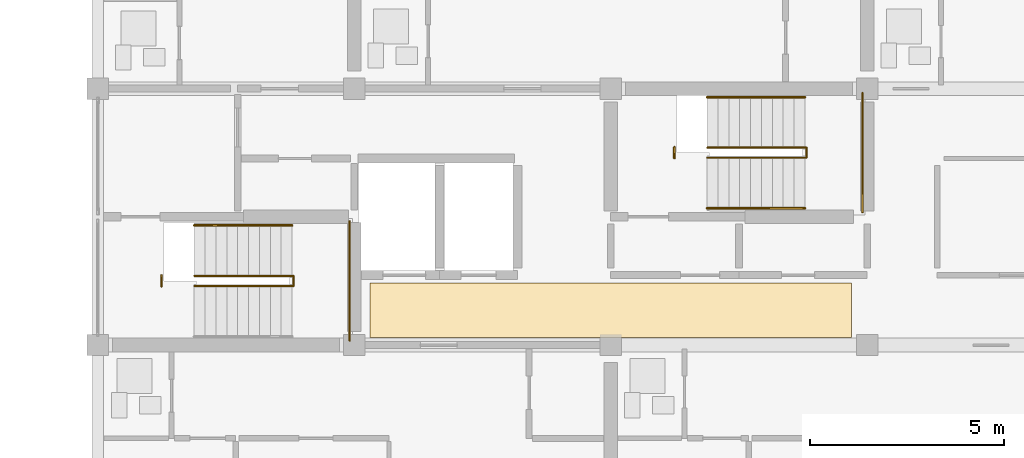
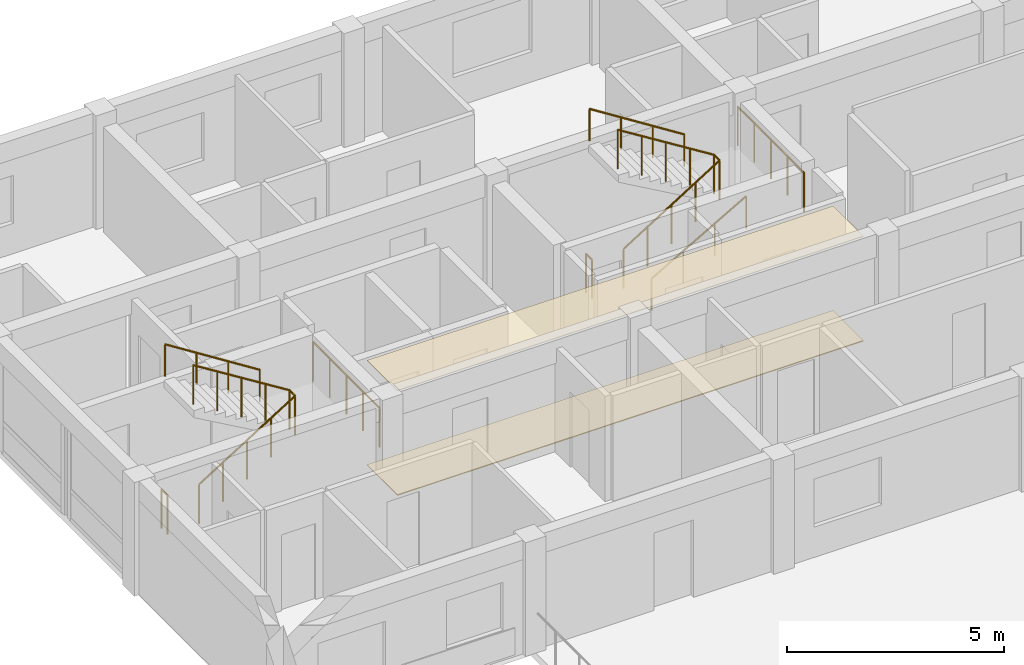
# One storey, part 49 of 51: 9 railings, 2 coverings.
"""IFC4 building model written with IfcOpenShell, lengths in metres."""

from ifc_helpers import new_model, si_unit, direction, frame, origin, origin_2d, place, context, subcontext, project, spatial, polyline, circle, outline, extrude, material, layer, layer_set, type_object, element, save


model = new_model("IFC4")

# Units and contexts
model_context = context("Model", 3, precision=1e-05, world=origin(), true_north=direction((0.0, 1.0)))
body_context = subcontext(model_context, "Body", "Model", "MODEL_VIEW")
ifc_project = project(units=[si_unit("LENGTHUNIT", "METRE"), si_unit("AREAUNIT", "SQUARE_METRE"), si_unit("VOLUMEUNIT", "CUBIC_METRE"), si_unit("PLANEANGLEUNIT", "RADIAN"), si_unit("MASSUNIT", "GRAM", prefix="KILO")], contexts=[model_context])

# Site, building, storey
site_placement = place(None, origin())
site = spatial("IfcSite", under=ifc_project, at=site_placement, CompositionType="ELEMENT")
building_placement = place(site_placement, origin())
building = spatial("IfcBuilding", under=site, at=building_placement, Name="Kernevlak Ridge Housing Community", CompositionType="ELEMENT")
storey_placement = place(building_placement, frame((0.0, 0.0, 8.39990234375)))
storey = spatial("IfcBuildingStorey", under=building, at=storey_placement, Name="L02", CompositionType="ELEMENT", Elevation=8.39990234375)

# Coverings
ifc_material_1 = material(Name="Acoustic perforated gypsum ceiling board")
ifc_layer_1 = layer(ifc_material_1, 0.02001953125, Name="Acoustic perforated gypsum ceiling board")
ifc_layer_set_1 = layer_set([ifc_layer_1], Name="Acoustic perforated gypsum ceiling board")
covering_type_1 = type_object("IfcCoveringType", Name="CV-01", PredefinedType="CEILING", material=ifc_layer_set_1)
covering_1_placement = place(storey_placement, frame((0.0, 0.0, 2.940185546875)))
element("IfcCovering", 1, at=covering_1_placement, inside=storey, type_object=covering_type_1, Name="Block B L02 lobby acoustic ceiling", PredefinedType="CEILING", context=body_context, shape_type="SweptSolid", body=[
    extrude(outline(polyline([(126.39990234375, 89.39990234375), (138.800048828125, 89.39990234375), (138.800048828125, 90.800048828125), (126.39990234375, 90.800048828125), (126.39990234375, 89.39990234375)])), origin(), (0.0, 0.0, 1.0), 0.02001953125),
])
ifc_material_2 = material(Name="Polished pale terrazzo tile flooring")
ifc_layer_2 = layer(ifc_material_2, 0.02490234375, Name="Polished pale terrazzo tile flooring")
ifc_layer_set_2 = layer_set([ifc_layer_2], Name="Polished pale terrazzo tile flooring")
covering_type_2 = type_object("IfcCoveringType", Name="CV-02", PredefinedType="FLOORING", material=ifc_layer_set_2)
covering_2_placement = place(storey_placement, origin())
element("IfcCovering", 2, at=covering_2_placement, inside=storey, type_object=covering_type_2, Name="Block B L02 lobby terrazzo flooring", PredefinedType="FLOORING", context=body_context, shape_type="SweptSolid", body=[
    extrude(outline(polyline([(126.39990234375, 89.39990234375), (138.800048828125, 89.39990234375), (138.800048828125, 90.800048828125), (126.39990234375, 90.800048828125), (126.39990234375, 89.39990234375)])), origin(), (0.0, 0.0, 1.0), 0.025146484375),
])

# Railings
ifc_material_3 = material(Name="Steel S355", Category="steel")
railing_type_1 = type_object("IfcRailingType", Name="GR-02", PredefinedType="GUARDRAIL", material=ifc_material_3)
railing_1_placement = place(storey_placement, frame((121.0400390625, 90.7099609375, 0.0)))
element("IfcRailing", 3, at=railing_1_placement, inside=storey, type_object=railing_type_1, Name="Stair ST-B1 L02 well slot guard", PredefinedType="GUARDRAIL", context=body_context, shape_type="SweptSolid", body=[
    extrude(circle(Radius=0.02392578125, at=origin_2d()), frame((0.0, 0.0, 1.09619140625), z_axis=(0.0, 1.0, 0.0), x_axis=(-1.0, 0.0, 0.0)), (0.0, 0.0, 1.0), 0.280029296875),
    extrude(circle(Radius=0.02099609375, at=origin_2d()), origin(), (0.0, 0.0, 1.0), 1.072021484375),
    extrude(circle(Radius=0.02099609375, at=origin_2d()), frame((0.0, 0.280029296875, 0.0)), (0.0, 0.0, 1.0), 1.072021484375),
])
railing_2_placement = place(storey_placement, frame((121.8798828125, 90.719970703125, 0.0)))
element("IfcRailing", 4, at=railing_2_placement, inside=storey, type_object=railing_type_1, Name="Stair ST-B1 L02 inner well guardrail", PredefinedType="GUARDRAIL", context=body_context, shape_type="SweptSolid", body=[
    extrude(circle(Radius=0.02392578125, at=origin_2d()), frame((0.0, 0.0, 1.09619140625), z_axis=(0.847989217509, 0.0, 0.530013478119), x_axis=(0.0, 1.0, 0.0)), (0.0, 0.0, 1.0), 3.01904296875),
    extrude(circle(Radius=0.02392578125, at=origin_2d()), frame((2.56005859375, 0.0, 2.6962890625), z_axis=(0.0, 1.0, 0.0), x_axis=(-1.0, 0.0, 0.0)), (0.0, 0.0, 1.0), 0.260009765625),
    extrude(circle(Radius=0.02392578125, at=origin_2d()), frame((2.56005859375, 0.260009765625, 2.6962890625), z_axis=(-0.847989217509, 0.0, 0.530013478119), x_axis=(0.0, -1.0, 0.0)), (0.0, 0.0, 1.0), 3.01904296875),
    extrude(circle(Radius=0.02099609375, at=origin_2d()), origin(), (0.0, 0.0, 1.0), 1.072021484375),
    extrude(circle(Radius=0.02099609375, at=origin_2d()), frame((0.64013671875, 0.0, 0.39990234375)), (0.0, 0.0, 1.0), 1.072021484375),
    extrude(circle(Radius=0.02099609375, at=origin_2d()), frame((1.280029296875, 0.0, 0.800048828125)), (0.0, 0.0, 1.0), 1.072021484375),
    extrude(circle(Radius=0.02099609375, at=origin_2d()), frame((1.919921875, 0.0, 1.2001953125)), (0.0, 0.0, 1.0), 1.072021484375),
    extrude(circle(Radius=0.02099609375, at=origin_2d()), frame((2.56005859375, 0.0, 1.60009765625)), (0.0, 0.0, 1.0), 1.072021484375),
    extrude(circle(Radius=0.02099609375, at=origin_2d()), frame((2.56005859375, 0.260009765625, 1.60009765625)), (0.0, 0.0, 1.0), 1.072021484375),
    extrude(circle(Radius=0.02099609375, at=origin_2d()), frame((1.919921875, 0.260009765625, 2.0)), (0.0, 0.0, 1.0), 1.072021484375),
    extrude(circle(Radius=0.02099609375, at=origin_2d()), frame((1.280029296875, 0.260009765625, 2.400146484375)), (0.0, 0.0, 1.0), 1.072021484375),
    extrude(circle(Radius=0.02099609375, at=origin_2d()), frame((0.64013671875, 0.260009765625, 2.80029296875)), (0.0, 0.0, 1.0), 1.072021484375),
    extrude(circle(Radius=0.02099609375, at=origin_2d()), frame((0.0, 0.260009765625, 3.2001953125)), (0.0, 0.0, 1.0), 1.072021484375),
])
railing_3_placement = place(storey_placement, frame((125.8798828125, 89.320068359375, 1.60009765625)))
element("IfcRailing", 5, at=railing_3_placement, inside=storey, type_object=railing_type_1, Name="Stair ST-B1 L02 half-landing guard", PredefinedType="GUARDRAIL", context=body_context, shape_type="SweptSolid", body=[
    extrude(circle(Radius=0.02392578125, at=origin_2d()), frame((0.0, 0.0, 1.09619140625), z_axis=(0.0, 1.0, 0.0), x_axis=(-1.0, 0.0, 0.0)), (0.0, 0.0, 1.0), 3.059814453125),
    extrude(circle(Radius=0.02099609375, at=origin_2d()), origin(), (0.0, 0.0, 1.0), 1.072021484375),
    extrude(circle(Radius=0.02099609375, at=origin_2d()), frame((0.0, 0.764892578125, 0.0)), (0.0, 0.0, 1.0), 1.072021484375),
    extrude(circle(Radius=0.02099609375, at=origin_2d()), frame((0.0, 1.52978515625, 0.0)), (0.0, 0.0, 1.0), 1.072021484375),
    extrude(circle(Radius=0.02099609375, at=origin_2d()), frame((0.0, 2.294921875, 0.0)), (0.0, 0.0, 1.0), 1.072021484375),
    extrude(circle(Radius=0.02099609375, at=origin_2d()), frame((0.0, 3.059814453125, 0.0)), (0.0, 0.0, 1.0), 1.072021484375),
])
railing_4_placement = place(storey_placement, frame((134.239990234375, 94.010009765625, 0.0)))
element("IfcRailing", 6, at=railing_4_placement, inside=storey, type_object=railing_type_1, Name="Stair ST-B2 L02 well slot guard", PredefinedType="GUARDRAIL", context=body_context, shape_type="SweptSolid", body=[
    extrude(circle(Radius=0.02392578125, at=origin_2d()), frame((0.0, 0.0, 1.09619140625), z_axis=(0.0, 1.0, 0.0), x_axis=(-1.0, 0.0, 0.0)), (0.0, 0.0, 1.0), 0.280029296875),
    extrude(circle(Radius=0.02099609375, at=origin_2d()), origin(), (0.0, 0.0, 1.0), 1.072021484375),
    extrude(circle(Radius=0.02099609375, at=origin_2d()), frame((0.0, 0.280029296875, 0.0)), (0.0, 0.0, 1.0), 1.072021484375),
])
railing_5_placement = place(storey_placement, frame((135.080078125, 94.02001953125, 0.0)))
element("IfcRailing", 7, at=railing_5_placement, inside=storey, type_object=railing_type_1, Name="Stair ST-B2 L02 inner well guardrail", PredefinedType="GUARDRAIL", context=body_context, shape_type="SweptSolid", body=[
    extrude(circle(Radius=0.02392578125, at=origin_2d()), frame((0.0, 0.0, 1.09619140625), z_axis=(0.847966497998, 0.0, 0.530049826217), x_axis=(0.0, 1.0, 0.0)), (0.0, 0.0, 1.0), 3.018798828125),
    extrude(circle(Radius=0.02392578125, at=origin_2d()), frame((2.559814453125, 0.0, 2.6962890625), z_axis=(0.0, 1.0, 0.0), x_axis=(-1.0, 0.0, 0.0)), (0.0, 0.0, 1.0), 0.260009765625),
    extrude(circle(Radius=0.02392578125, at=origin_2d()), frame((2.559814453125, 0.260009765625, 2.6962890625), z_axis=(-0.847966497998, 0.0, 0.530049826217), x_axis=(0.0, -1.0, 0.0)), (0.0, 0.0, 1.0), 3.018798828125),
    extrude(circle(Radius=0.02099609375, at=origin_2d()), origin(), (0.0, 0.0, 1.0), 1.072021484375),
    extrude(circle(Radius=0.02099609375, at=origin_2d()), frame((0.639892578125, 0.0, 0.39990234375)), (0.0, 0.0, 1.0), 1.072021484375),
    extrude(circle(Radius=0.02099609375, at=origin_2d()), frame((1.27978515625, 0.0, 0.800048828125)), (0.0, 0.0, 1.0), 1.072021484375),
    extrude(circle(Radius=0.02099609375, at=origin_2d()), frame((1.919921875, 0.0, 1.2001953125)), (0.0, 0.0, 1.0), 1.072021484375),
    extrude(circle(Radius=0.02099609375, at=origin_2d()), frame((2.559814453125, 0.0, 1.60009765625)), (0.0, 0.0, 1.0), 1.072021484375),
    extrude(circle(Radius=0.02099609375, at=origin_2d()), frame((2.559814453125, 0.260009765625, 1.60009765625)), (0.0, 0.0, 1.0), 1.072021484375),
    extrude(circle(Radius=0.02099609375, at=origin_2d()), frame((1.919921875, 0.260009765625, 2.0)), (0.0, 0.0, 1.0), 1.072021484375),
    extrude(circle(Radius=0.02099609375, at=origin_2d()), frame((1.27978515625, 0.260009765625, 2.400146484375)), (0.0, 0.0, 1.0), 1.072021484375),
    extrude(circle(Radius=0.02099609375, at=origin_2d()), frame((0.639892578125, 0.260009765625, 2.80029296875)), (0.0, 0.0, 1.0), 1.072021484375),
    extrude(circle(Radius=0.02099609375, at=origin_2d()), frame((0.0, 0.260009765625, 3.2001953125)), (0.0, 0.0, 1.0), 1.072021484375),
])
railing_6_placement = place(storey_placement, frame((139.080078125, 92.6201171875, 1.60009765625)))
element("IfcRailing", 8, at=railing_6_placement, inside=storey, type_object=railing_type_1, Name="Stair ST-B2 L02 half-landing guard", PredefinedType="GUARDRAIL", context=body_context, shape_type="SweptSolid", body=[
    extrude(circle(Radius=0.02392578125, at=origin_2d()), frame((0.0, 0.0, 1.09619140625), z_axis=(0.0, 1.0, 0.0), x_axis=(-1.0, 0.0, 0.0)), (0.0, 0.0, 1.0), 3.059814453125),
    extrude(circle(Radius=0.02099609375, at=origin_2d()), origin(), (0.0, 0.0, 1.0), 1.072021484375),
    extrude(circle(Radius=0.02099609375, at=origin_2d()), frame((0.0, 0.764892578125, 0.0)), (0.0, 0.0, 1.0), 1.072021484375),
    extrude(circle(Radius=0.02099609375, at=origin_2d()), frame((0.0, 1.52978515625, 0.0)), (0.0, 0.0, 1.0), 1.072021484375),
    extrude(circle(Radius=0.02099609375, at=origin_2d()), frame((0.0, 2.294921875, 0.0)), (0.0, 0.0, 1.0), 1.072021484375),
    extrude(circle(Radius=0.02099609375, at=origin_2d()), frame((0.0, 3.059814453125, 0.0)), (0.0, 0.0, 1.0), 1.072021484375),
])
ifc_material_4 = material(Name="Stainless steel EN 1.4401", Category="steel")
railing_type_2 = type_object("IfcRailingType", Name="HR-01", PredefinedType="HANDRAIL", material=ifc_material_4)
railing_7_placement = place(storey_placement, frame((124.39990234375, 92.280029296875, 1.60009765625)))
element("IfcRailing", 9, at=railing_7_placement, inside=storey, type_object=railing_type_2, Name="Stair ST-B1 L02 flight 2 handrail", PredefinedType="HANDRAIL", context=body_context, shape_type="SweptSolid", body=[
    extrude(circle(Radius=0.02392578125, at=origin_2d()), frame((0.0, 0.0, 0.89599609375), z_axis=(-0.844199891302, 0.0, 0.536028491338), x_axis=(0.0, -1.0, 0.0)), (0.0, 0.0, 1.0), 2.985107421875),
    extrude(circle(Radius=0.02099609375, at=origin_2d()), origin(), (0.0, 0.0, 1.0), 0.871826171875),
    extrude(circle(Radius=0.02099609375, at=origin_2d()), frame((-0.840087890625, 0.0, 0.533447265625)), (0.0, 0.0, 1.0), 0.871826171875),
    extrude(circle(Radius=0.02099609375, at=origin_2d()), frame((-1.679931640625, 0.0, 1.066650390625)), (0.0, 0.0, 1.0), 0.871826171875),
    extrude(circle(Radius=0.02099609375, at=origin_2d()), frame((-2.52001953125, 0.0, 1.60009765625)), (0.0, 0.0, 1.0), 0.871826171875),
])
railing_8_placement = place(storey_placement, frame((135.080078125, 92.719970703125, 0.16015625)))
element("IfcRailing", 10, at=railing_8_placement, inside=storey, type_object=railing_type_2, Name="Stair ST-B2 L02 flight 1 handrail", PredefinedType="HANDRAIL", context=body_context, shape_type="SweptSolid", body=[
    extrude(circle(Radius=0.02392578125, at=origin_2d()), frame((0.0, 0.0, 0.89599609375), z_axis=(0.868253494771, 0.0, 0.496120820787), x_axis=(0.0, 1.0, 0.0)), (0.0, 0.0, 1.0), 2.90234375),
    extrude(circle(Radius=0.02099609375, at=origin_2d()), origin(), (0.0, 0.0, 1.0), 0.871826171875),
    extrude(circle(Radius=0.02099609375, at=origin_2d()), frame((0.840087890625, 0.0, 0.47998046875)), (0.0, 0.0, 1.0), 0.871826171875),
    extrude(circle(Radius=0.02099609375, at=origin_2d()), frame((1.679931640625, 0.0, 0.9599609375)), (0.0, 0.0, 1.0), 0.871826171875),
    extrude(circle(Radius=0.02099609375, at=origin_2d()), frame((2.52001953125, 0.0, 1.43994140625)), (0.0, 0.0, 1.0), 0.871826171875),
])
railing_9_placement = place(storey_placement, frame((137.60009765625, 95.580078125, 1.60009765625)))
element("IfcRailing", 11, at=railing_9_placement, inside=storey, type_object=railing_type_2, Name="Stair ST-B2 L02 flight 2 handrail", PredefinedType="HANDRAIL", context=body_context, shape_type="SweptSolid", body=[
    extrude(circle(Radius=0.02392578125, at=origin_2d()), frame((0.0, 0.0, 0.89599609375), z_axis=(-0.844199891302, 0.0, 0.536028491338), x_axis=(0.0, -1.0, 0.0)), (0.0, 0.0, 1.0), 2.985107421875),
    extrude(circle(Radius=0.02099609375, at=origin_2d()), origin(), (0.0, 0.0, 1.0), 0.871826171875),
    extrude(circle(Radius=0.02099609375, at=origin_2d()), frame((-0.840087890625, 0.0, 0.533447265625)), (0.0, 0.0, 1.0), 0.871826171875),
    extrude(circle(Radius=0.02099609375, at=origin_2d()), frame((-1.679931640625, 0.0, 1.066650390625)), (0.0, 0.0, 1.0), 0.871826171875),
    extrude(circle(Radius=0.02099609375, at=origin_2d()), frame((-2.52001953125, 0.0, 1.60009765625)), (0.0, 0.0, 1.0), 0.871826171875),
])

save(model, "model.ifc")
